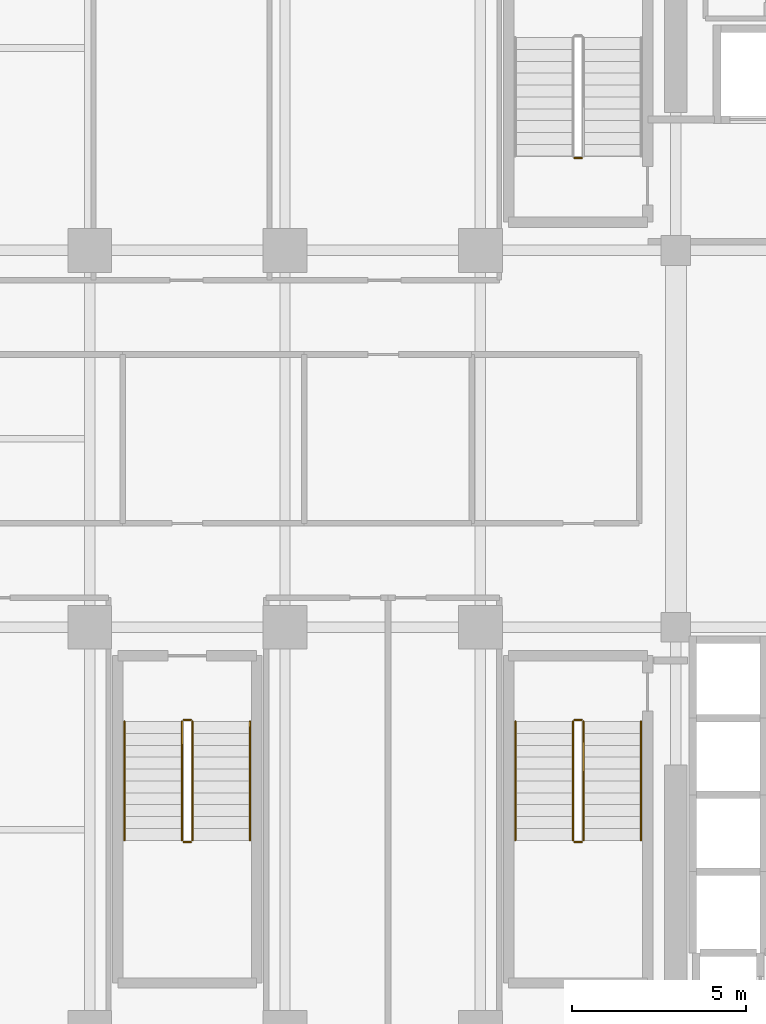
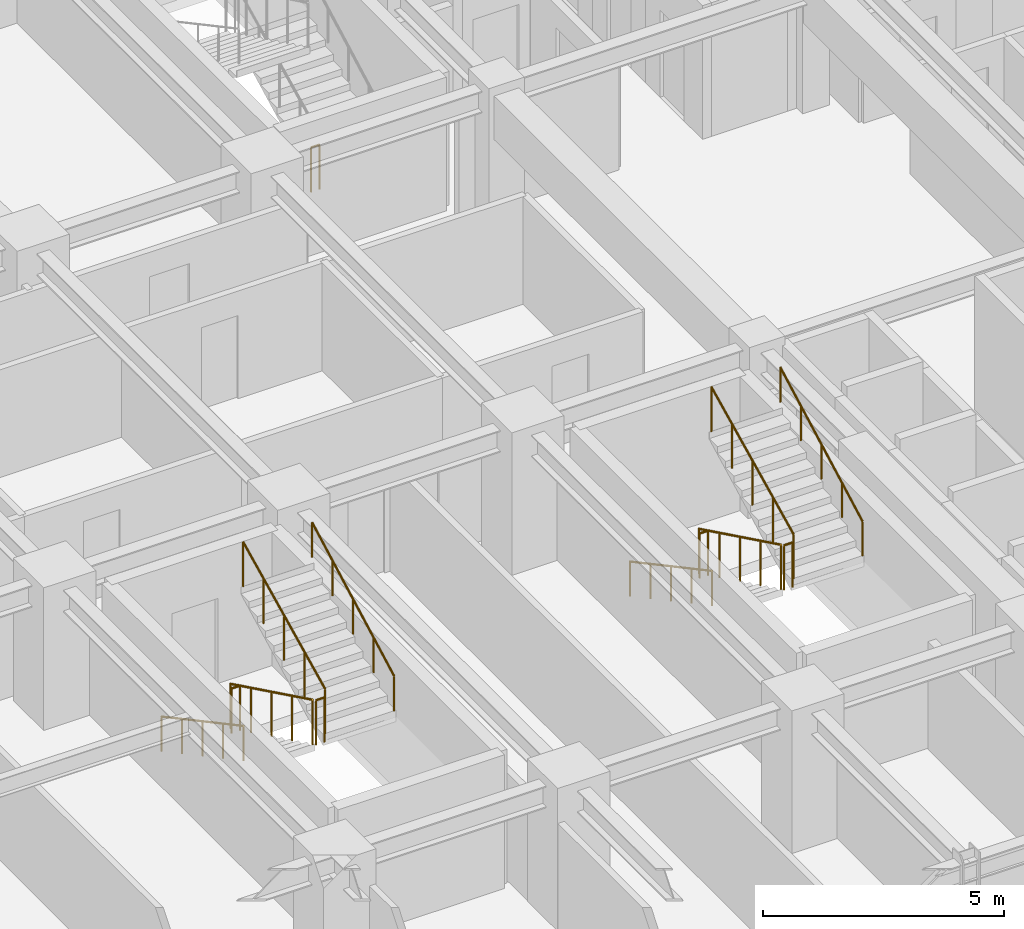
# One storey, part 31 of 34: 13 railings.
"""IFC4 building model written with IfcOpenShell, lengths in metres."""

from ifc_helpers import new_model, si_unit, direction, frame, origin, origin_2d, place, context, subcontext, project, spatial, circle, extrude, material, type_object, element, save


model = new_model("IFC4")

# Units and contexts
model_context = context("Model", 3, precision=1e-05, world=origin(), true_north=direction((0.0, 1.0)))
body_context = subcontext(model_context, "Body", "Model", "MODEL_VIEW")
ifc_project = project(units=[si_unit("LENGTHUNIT", "METRE"), si_unit("AREAUNIT", "SQUARE_METRE"), si_unit("VOLUMEUNIT", "CUBIC_METRE"), si_unit("PLANEANGLEUNIT", "RADIAN"), si_unit("MASSUNIT", "GRAM", prefix="KILO")], contexts=[model_context])

# Site, building, storey
site_placement = place(None, origin())
site = spatial("IfcSite", under=ifc_project, at=site_placement, CompositionType="ELEMENT")
building_placement = place(site_placement, origin())
building = spatial("IfcBuilding", under=site, at=building_placement, Name="Nahalor Promenade Grand Hotel", CompositionType="ELEMENT")
storey_placement = place(building_placement, frame((0.0, 0.0, 128.449951171875)))
storey = spatial("IfcBuildingStorey", under=building, at=storey_placement, Name="L32", CompositionType="ELEMENT", Elevation=128.449951171875)

# Railings
ifc_material = material(Name="Steel S355JR", Category="steel")
railing_type_1 = type_object("IfcRailingType", Name="Steel Stair Guardrail 1150 mm", PredefinedType="GUARDRAIL", material=ifc_material)
railing_1_placement = place(storey_placement, frame((5.699951171875, 8.050048828125, 0.0)))
element("IfcRailing", 1, at=railing_1_placement, inside=storey, type_object=railing_type_1, Name="L32 ST1 stair guard 4", PredefinedType="GUARDRAIL", context=body_context, shape_type="SweptSolid", body=[
    extrude(circle(Radius=0.024048, at=origin_2d()), frame((0.0, 0.0, 1.1259765625), z_axis=(-1.0, 0.0, 0.0), x_axis=(0.0, -1.0, 0.0)), (0.0, 0.0, 1.0), 0.199951171875),
    extrude(circle(Radius=0.020996, at=origin_2d()), origin(), (0.0, 0.0, 1.0), 1.099853515625),
    extrude(circle(Radius=0.020996, at=origin_2d()), frame((-0.199951171875, 0.0, 0.0)), (0.0, 0.0, 1.0), 1.099853515625),
])
railing_2_placement = place(storey_placement, frame((5.449951171875, -8.10009765625, 0.166015625)))
element("IfcRailing", 2, at=railing_2_placement, inside=storey, type_object=railing_type_1, Name="L32 ST2 stair guard 1", PredefinedType="GUARDRAIL", context=body_context, shape_type="SweptSolid", body=[
    extrude(circle(Radius=0.024048, at=origin_2d()), frame((0.0, 0.0, 1.1259765625), z_axis=(0.0, -0.898721922897, 0.438518990814), x_axis=(1.0, 0.0, 0.0)), (0.0, 0.0, 1.0), 3.782958984375),
    extrude(circle(Radius=0.020996, at=origin_2d()), origin(), (0.0, 0.0, 1.0), 1.099853515625),
    extrude(circle(Radius=0.020996, at=origin_2d()), frame((0.0, -0.85009765625, 0.414794921875)), (0.0, 0.0, 1.0), 1.099853515625),
    extrude(circle(Radius=0.020996, at=origin_2d()), frame((0.0, -1.699951171875, 0.82958984375)), (0.0, 0.0, 1.0), 1.099853515625),
    extrude(circle(Radius=0.020996, at=origin_2d()), frame((0.0, -2.5498046875, 1.244140625)), (0.0, 0.0, 1.0), 1.099853515625),
    extrude(circle(Radius=0.020996, at=origin_2d()), frame((0.0, -3.39990234375, 1.658935546875)), (0.0, 0.0, 1.0), 1.099853515625),
])
railing_3_placement = place(storey_placement, frame((5.5, -11.550048828125, 1.824951171875)))
element("IfcRailing", 3, at=railing_3_placement, inside=storey, type_object=railing_type_1, Name="L32 ST2 stair guard 2", PredefinedType="GUARDRAIL", context=body_context, shape_type="SweptSolid", body=[
    extrude(circle(Radius=0.024048, at=origin_2d()), frame((0.0, 0.0, 1.1259765625), z_axis=(1.0, 0.0, 0.0), x_axis=(0.0, 1.0, 0.0)), (0.0, 0.0, 1.0), 0.199951171875),
    extrude(circle(Radius=0.020996, at=origin_2d()), origin(), (0.0, 0.0, 1.0), 1.099853515625),
    extrude(circle(Radius=0.020996, at=origin_2d()), frame((0.199951171875, 0.0, 0.0)), (0.0, 0.0, 1.0), 1.099853515625),
])
railing_4_placement = place(storey_placement, frame((5.75, -11.5, 1.990966796875)))
element("IfcRailing", 4, at=railing_4_placement, inside=storey, type_object=railing_type_1, Name="L32 ST2 stair guard 3", PredefinedType="GUARDRAIL", context=body_context, shape_type="SweptSolid", body=[
    extrude(circle(Radius=0.024048, at=origin_2d()), frame((0.0, 0.0, 1.1259765625), z_axis=(0.0, 0.898696488221, 0.438571114028), x_axis=(-1.0, 0.0, 0.0)), (0.0, 0.0, 1.0), 3.783203125),
    extrude(circle(Radius=0.020996, at=origin_2d()), origin(), (0.0, 0.0, 1.0), 1.099853515625),
    extrude(circle(Radius=0.020996, at=origin_2d()), frame((0.0, 0.85009765625, 0.414794921875)), (0.0, 0.0, 1.0), 1.099853515625),
    extrude(circle(Radius=0.020996, at=origin_2d()), frame((0.0, 1.699951171875, 0.82958984375)), (0.0, 0.0, 1.0), 1.099853515625),
    extrude(circle(Radius=0.020996, at=origin_2d()), frame((0.0, 2.5498046875, 1.244384765625)), (0.0, 0.0, 1.0), 1.099853515625),
    extrude(circle(Radius=0.020996, at=origin_2d()), frame((0.0, 3.39990234375, 1.6591796875)), (0.0, 0.0, 1.0), 1.099853515625),
])
railing_5_placement = place(storey_placement, frame((5.5, -8.050048828125, 0.0)))
element("IfcRailing", 5, at=railing_5_placement, inside=storey, type_object=railing_type_1, Name="L32 ST2 stair guard 4", PredefinedType="GUARDRAIL", context=body_context, shape_type="SweptSolid", body=[
    extrude(circle(Radius=0.024048, at=origin_2d()), frame((0.0, 0.0, 1.1259765625), z_axis=(1.0, 0.0, 0.0), x_axis=(0.0, 1.0, 0.0)), (0.0, 0.0, 1.0), 0.199951171875),
    extrude(circle(Radius=0.020996, at=origin_2d()), origin(), (0.0, 0.0, 1.0), 1.099853515625),
    extrude(circle(Radius=0.020996, at=origin_2d()), frame((0.199951171875, 0.0, 0.0)), (0.0, 0.0, 1.0), 1.099853515625),
])
railing_6_placement = place(storey_placement, frame((-5.75, -8.10009765625, 0.166015625)))
element("IfcRailing", 6, at=railing_6_placement, inside=storey, type_object=railing_type_1, Name="L32 ST3 stair guard 1", PredefinedType="GUARDRAIL", context=body_context, shape_type="SweptSolid", body=[
    extrude(circle(Radius=0.024048, at=origin_2d()), frame((0.0, 0.0, 1.1259765625), z_axis=(0.0, -0.898721922897, 0.438518990814), x_axis=(1.0, 0.0, 0.0)), (0.0, 0.0, 1.0), 3.782958984375),
    extrude(circle(Radius=0.020996, at=origin_2d()), origin(), (0.0, 0.0, 1.0), 1.099853515625),
    extrude(circle(Radius=0.020996, at=origin_2d()), frame((0.0, -0.85009765625, 0.414794921875)), (0.0, 0.0, 1.0), 1.099853515625),
    extrude(circle(Radius=0.020996, at=origin_2d()), frame((0.0, -1.699951171875, 0.82958984375)), (0.0, 0.0, 1.0), 1.099853515625),
    extrude(circle(Radius=0.020996, at=origin_2d()), frame((0.0, -2.5498046875, 1.244140625)), (0.0, 0.0, 1.0), 1.099853515625),
    extrude(circle(Radius=0.020996, at=origin_2d()), frame((0.0, -3.39990234375, 1.658935546875)), (0.0, 0.0, 1.0), 1.099853515625),
])
railing_7_placement = place(storey_placement, frame((-5.699951171875, -11.550048828125, 1.824951171875)))
element("IfcRailing", 7, at=railing_7_placement, inside=storey, type_object=railing_type_1, Name="L32 ST3 stair guard 2", PredefinedType="GUARDRAIL", context=body_context, shape_type="SweptSolid", body=[
    extrude(circle(Radius=0.024048, at=origin_2d()), frame((0.0, 0.0, 1.1259765625), z_axis=(1.0, 0.0, 0.0), x_axis=(0.0, 1.0, 0.0)), (0.0, 0.0, 1.0), 0.199951171875),
    extrude(circle(Radius=0.020996, at=origin_2d()), origin(), (0.0, 0.0, 1.0), 1.099853515625),
    extrude(circle(Radius=0.020996, at=origin_2d()), frame((0.199951171875, 0.0, 0.0)), (0.0, 0.0, 1.0), 1.099853515625),
])
railing_8_placement = place(storey_placement, frame((-5.449951171875, -11.5, 1.990966796875)))
element("IfcRailing", 8, at=railing_8_placement, inside=storey, type_object=railing_type_1, Name="L32 ST3 stair guard 3", PredefinedType="GUARDRAIL", context=body_context, shape_type="SweptSolid", body=[
    extrude(circle(Radius=0.024048, at=origin_2d()), frame((0.0, 0.0, 1.1259765625), z_axis=(0.0, 0.898696488221, 0.438571114028), x_axis=(-1.0, 0.0, 0.0)), (0.0, 0.0, 1.0), 3.783203125),
    extrude(circle(Radius=0.020996, at=origin_2d()), origin(), (0.0, 0.0, 1.0), 1.099853515625),
    extrude(circle(Radius=0.020996, at=origin_2d()), frame((0.0, 0.85009765625, 0.414794921875)), (0.0, 0.0, 1.0), 1.099853515625),
    extrude(circle(Radius=0.020996, at=origin_2d()), frame((0.0, 1.699951171875, 0.82958984375)), (0.0, 0.0, 1.0), 1.099853515625),
    extrude(circle(Radius=0.020996, at=origin_2d()), frame((0.0, 2.5498046875, 1.244384765625)), (0.0, 0.0, 1.0), 1.099853515625),
    extrude(circle(Radius=0.020996, at=origin_2d()), frame((0.0, 3.39990234375, 1.6591796875)), (0.0, 0.0, 1.0), 1.099853515625),
])
railing_9_placement = place(storey_placement, frame((-5.699951171875, -8.050048828125, 0.0)))
element("IfcRailing", 9, at=railing_9_placement, inside=storey, type_object=railing_type_1, Name="L32 ST3 stair guard 4", PredefinedType="GUARDRAIL", context=body_context, shape_type="SweptSolid", body=[
    extrude(circle(Radius=0.024048, at=origin_2d()), frame((0.0, 0.0, 1.1259765625), z_axis=(1.0, 0.0, 0.0), x_axis=(0.0, 1.0, 0.0)), (0.0, 0.0, 1.0), 0.199951171875),
    extrude(circle(Radius=0.020996, at=origin_2d()), origin(), (0.0, 0.0, 1.0), 1.099853515625),
    extrude(circle(Radius=0.020996, at=origin_2d()), frame((0.199951171875, 0.0, 0.0)), (0.0, 0.0, 1.0), 1.099853515625),
])
railing_type_2 = type_object("IfcRailingType", Name="Steel Stair Handrail 900 mm", PredefinedType="HANDRAIL", material=ifc_material)
railing_10_placement = place(storey_placement, frame((3.800048828125, -8.10009765625, 0.166015625)))
element("IfcRailing", 10, at=railing_10_placement, inside=storey, type_object=railing_type_2, Name="L32 ST2 stair handrail 1", PredefinedType="HANDRAIL", context=body_context, shape_type="SweptSolid", body=[
    extrude(circle(Radius=0.024048, at=origin_2d()), frame((0.0, 0.0, 0.8759765625), z_axis=(0.0, -0.881094038095, 0.47294111265), x_axis=(1.0, 0.0, 0.0)), (0.0, 0.0, 1.0), 3.858642578125),
    extrude(circle(Radius=0.020996, at=origin_2d()), origin(), (0.0, 0.0, 1.0), 0.849853515625),
    extrude(circle(Radius=0.020996, at=origin_2d()), frame((0.0, -0.85009765625, 0.456298828125)), (0.0, 0.0, 1.0), 0.849853515625),
    extrude(circle(Radius=0.020996, at=origin_2d()), frame((0.0, -1.699951171875, 0.91259765625)), (0.0, 0.0, 1.0), 0.849853515625),
    extrude(circle(Radius=0.020996, at=origin_2d()), frame((0.0, -2.5498046875, 1.36865234375)), (0.0, 0.0, 1.0), 0.849853515625),
    extrude(circle(Radius=0.020996, at=origin_2d()), frame((0.0, -3.39990234375, 1.824951171875)), (0.0, 0.0, 1.0), 0.849853515625),
])
railing_11_placement = place(storey_placement, frame((7.39990234375, -11.5, 1.990966796875)))
element("IfcRailing", 11, at=railing_11_placement, inside=storey, type_object=railing_type_2, Name="L32 ST2 stair handrail 2", PredefinedType="HANDRAIL", context=body_context, shape_type="SweptSolid", body=[
    extrude(circle(Radius=0.024048, at=origin_2d()), frame((0.0, 0.0, 0.8759765625), z_axis=(0.0, 0.881094038095, 0.47294111265), x_axis=(-1.0, 0.0, 0.0)), (0.0, 0.0, 1.0), 3.858642578125),
    extrude(circle(Radius=0.020996, at=origin_2d()), origin(), (0.0, 0.0, 1.0), 0.849853515625),
    extrude(circle(Radius=0.020996, at=origin_2d()), frame((0.0, 0.85009765625, 0.456298828125)), (0.0, 0.0, 1.0), 0.849853515625),
    extrude(circle(Radius=0.020996, at=origin_2d()), frame((0.0, 1.699951171875, 0.91259765625)), (0.0, 0.0, 1.0), 0.849853515625),
    extrude(circle(Radius=0.020996, at=origin_2d()), frame((0.0, 2.5498046875, 1.36865234375)), (0.0, 0.0, 1.0), 0.849853515625),
    extrude(circle(Radius=0.020996, at=origin_2d()), frame((0.0, 3.39990234375, 1.824951171875)), (0.0, 0.0, 1.0), 0.849853515625),
])
railing_12_placement = place(storey_placement, frame((-7.39990234375, -8.10009765625, 0.166015625)))
element("IfcRailing", 12, at=railing_12_placement, inside=storey, type_object=railing_type_2, Name="L32 ST3 stair handrail 1", PredefinedType="HANDRAIL", context=body_context, shape_type="SweptSolid", body=[
    extrude(circle(Radius=0.024048, at=origin_2d()), frame((0.0, 0.0, 0.8759765625), z_axis=(0.0, -0.881094038095, 0.47294111265), x_axis=(1.0, 0.0, 0.0)), (0.0, 0.0, 1.0), 3.858642578125),
    extrude(circle(Radius=0.020996, at=origin_2d()), origin(), (0.0, 0.0, 1.0), 0.849853515625),
    extrude(circle(Radius=0.020996, at=origin_2d()), frame((0.0, -0.85009765625, 0.456298828125)), (0.0, 0.0, 1.0), 0.849853515625),
    extrude(circle(Radius=0.020996, at=origin_2d()), frame((0.0, -1.699951171875, 0.91259765625)), (0.0, 0.0, 1.0), 0.849853515625),
    extrude(circle(Radius=0.020996, at=origin_2d()), frame((0.0, -2.5498046875, 1.36865234375)), (0.0, 0.0, 1.0), 0.849853515625),
    extrude(circle(Radius=0.020996, at=origin_2d()), frame((0.0, -3.39990234375, 1.824951171875)), (0.0, 0.0, 1.0), 0.849853515625),
])
railing_13_placement = place(storey_placement, frame((-3.800048828125, -11.5, 1.990966796875)))
element("IfcRailing", 13, at=railing_13_placement, inside=storey, type_object=railing_type_2, Name="L32 ST3 stair handrail 2", PredefinedType="HANDRAIL", context=body_context, shape_type="SweptSolid", body=[
    extrude(circle(Radius=0.024048, at=origin_2d()), frame((0.0, 0.0, 0.8759765625), z_axis=(0.0, 0.881094038095, 0.47294111265), x_axis=(-1.0, 0.0, 0.0)), (0.0, 0.0, 1.0), 3.858642578125),
    extrude(circle(Radius=0.020996, at=origin_2d()), origin(), (0.0, 0.0, 1.0), 0.849853515625),
    extrude(circle(Radius=0.020996, at=origin_2d()), frame((0.0, 0.85009765625, 0.456298828125)), (0.0, 0.0, 1.0), 0.849853515625),
    extrude(circle(Radius=0.020996, at=origin_2d()), frame((0.0, 1.699951171875, 0.91259765625)), (0.0, 0.0, 1.0), 0.849853515625),
    extrude(circle(Radius=0.020996, at=origin_2d()), frame((0.0, 2.5498046875, 1.36865234375)), (0.0, 0.0, 1.0), 0.849853515625),
    extrude(circle(Radius=0.020996, at=origin_2d()), frame((0.0, 3.39990234375, 1.824951171875)), (0.0, 0.0, 1.0), 0.849853515625),
])

save(model, "model.ifc")
